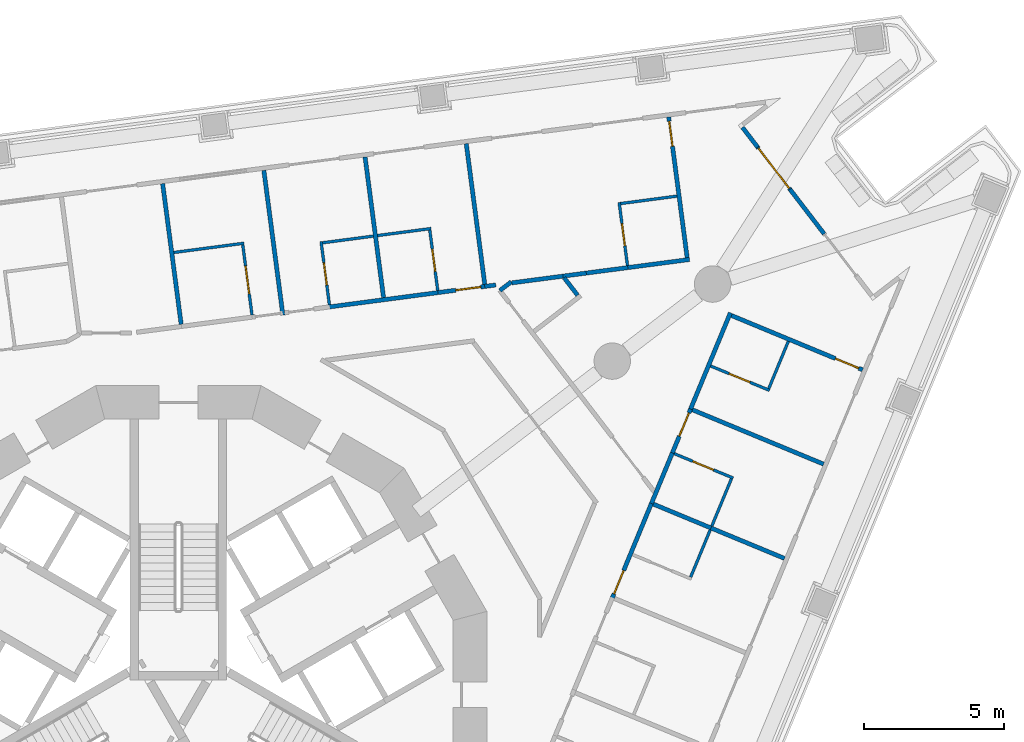
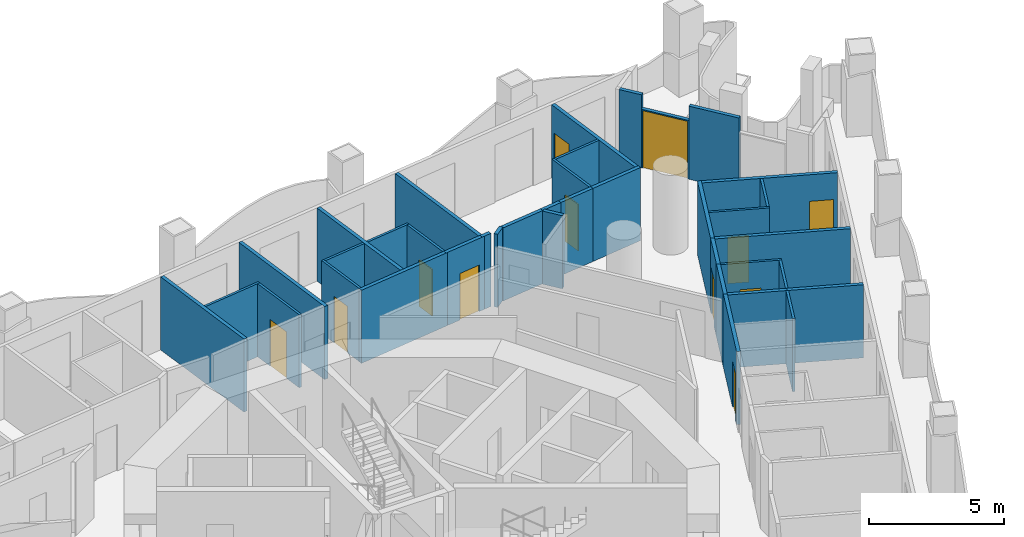
# One storey, part 10 of 19: 38 walls, 12 doors, 12 openings.
"""IFC4 building model written with IfcOpenShell, lengths in metres."""

import ifcopenshell
import ifcopenshell.guid

model = None  # the IFC model being written
_history = None  # IfcOwnerHistory: only IFC2X3 demands one
_inside = {}  # id of a spatial element -> (the spatial element, [elements in it])
_under = {}  # id of a project, library or spatial element -> (it, [spatial elements below it])
_declared = {}  # id of a project -> (the project, [libraries it declares])
_typed = {}  # id of a type object -> (the type object, [elements of that type])
_made_of = {}  # id of a material, layer set ... -> (it, [elements and type objects made of it])


def new_model(schema):
    """Start an empty IFC model of exactly this schema.

    Asked for "IFC4X3", IfcOpenShell would pick the latest addendum, in which some entities
    have other attributes; the version numbers below select the first issue.
    IFC2X3 requires an IfcOwnerHistory on every rooted entity: one is made here for all.
    """
    global model, _history
    if schema == "IFC4X3":
        model = ifcopenshell.file(schema_version=(4, 3, 0, 0))
    else:
        model = ifcopenshell.file(schema=schema)
    _inside.clear()
    _under.clear()
    _declared.clear()
    _typed.clear()
    _made_of.clear()
    _history = None
    if model.schema == "IFC2X3":
        org = make("IfcOrganization", Name="unknown")
        user = make(
            "IfcPersonAndOrganization",
            ThePerson=make("IfcPerson", FamilyName="unknown"),
            TheOrganization=org,
        )
        app = make(
            "IfcApplication",
            ApplicationDeveloper=org,
            Version="unknown",
            ApplicationFullName="unknown",
            ApplicationIdentifier="unknown",
        )
        _history = make(
            "IfcOwnerHistory",
            OwningUser=user,
            OwningApplication=app,
            ChangeAction="ADDED",
            CreationDate=0,
        )
    return model


def make(cls, **values):
    """One entity of the class cls with the attributes given. An attribute that is None is left unset."""
    return model.create_entity(
        cls, **{name: value for name, value in values.items() if value is not None}
    )


def rooted(cls, **values):
    """An entity with a GlobalId (a new one), such as an element, a storey or a relation."""
    return make(cls, GlobalId=ifcopenshell.guid.new(), OwnerHistory=_history, **values)


def si_unit(unit_type, name, prefix=None):
    """IfcSIUnit, for example si_unit("LENGTHUNIT", "METRE", prefix="MILLI")."""
    return make("IfcSIUnit", UnitType=unit_type, Prefix=prefix, Name=name)


def assignment(units):
    """IfcUnitAssignment: the units of a project."""
    return None if units is None else make("IfcUnitAssignment", Units=units)


def point(xyz):
    """IfcCartesianPoint."""
    return None if xyz is None else make("IfcCartesianPoint", Coordinates=xyz)


def direction(xyz):
    """IfcDirection."""
    return None if xyz is None else make("IfcDirection", DirectionRatios=xyz)


def frame(location, z_axis=None, x_axis=None):
    """IfcAxis2Placement3D, a coordinate frame: its origin and axes. An axis left out is left unset."""
    return make(
        "IfcAxis2Placement3D",
        Location=point(location),
        Axis=direction(z_axis),
        RefDirection=direction(x_axis),
    )


def frame_2d(location, x_axis=None):
    """IfcAxis2Placement2D, a coordinate frame in the plane: its origin and x axis."""
    return make(
        "IfcAxis2Placement2D", Location=point(location), RefDirection=direction(x_axis)
    )


def origin():
    """The frame at (0, 0, 0) with its axes left unset."""
    return frame((0.0, 0.0, 0.0))


def place(relative_to, where):
    """IfcLocalPlacement: puts the frame where relative to a parent placement (None: the world)."""
    return make(
        "IfcLocalPlacement", PlacementRelTo=relative_to, RelativePlacement=where
    )


def context(
    kind, dimensions, precision=None, world=None, true_north=None, identifier=None
):
    """IfcGeometricRepresentationContext, for example the 3D "Model" context."""
    return make(
        "IfcGeometricRepresentationContext",
        ContextIdentifier=identifier,
        ContextType=kind,
        CoordinateSpaceDimension=dimensions,
        Precision=precision,
        WorldCoordinateSystem=world,
        TrueNorth=true_north,
    )


def subcontext(parent, identifier, kind, view, scale=None):
    """IfcGeometricRepresentationSubContext, for example "Body" below "Model"."""
    return make(
        "IfcGeometricRepresentationSubContext",
        ContextIdentifier=identifier,
        ContextType=kind,
        ParentContext=parent,
        TargetScale=scale,
        TargetView=view,
    )


def project(units=None, contexts=None):
    """IfcProject with its units and contexts."""
    return rooted(
        "IfcProject",
        Name="project",
        RepresentationContexts=contexts,
        UnitsInContext=assignment(units),
    )


def spatial(cls, under=None, at=None, **own):
    """A site, building, storey or space (cls), placed at a placement, below another one or the project."""
    s = rooted(cls, ObjectPlacement=at, **own)
    if under is not None:
        _under.setdefault(under.id(), (under, []))[1].append(s)
    return s


def polyline(points):
    """IfcPolyline through the points."""
    return make("IfcPolyline", Points=[point(p) for p in points])


def profile(cls, at=None, kind="AREA", **sizes):
    """A parametric profile (cls). Its sizes go by their IFC names, for example OverallWidth=200.0."""
    return make(cls, ProfileType=kind, Position=at, **sizes)


def rectangle(**sizes):
    """IfcRectangleProfileDef."""
    return profile("IfcRectangleProfileDef", **sizes)


def outline(outer, holes=None, kind="AREA"):
    """IfcArbitraryClosedProfileDef: a profile drawn as a closed curve; with holes, ...WithVoids."""
    if holes is None:
        return make("IfcArbitraryClosedProfileDef", ProfileType=kind, OuterCurve=outer)
    return make(
        "IfcArbitraryProfileDefWithVoids",
        ProfileType=kind,
        OuterCurve=outer,
        InnerCurves=holes,
    )


def extrude(swept, where, along, depth):
    """IfcExtrudedAreaSolid: the profile swept, set in the frame where, extruded along a direction by depth."""
    return make(
        "IfcExtrudedAreaSolid",
        SweptArea=swept,
        Position=where,
        ExtrudedDirection=direction(along),
        Depth=depth,
    )


def shape(context_of_items, identifier, shape_type, items):
    """IfcShapeRepresentation: the items that make up one representation, for example the "Body"."""
    return make(
        "IfcShapeRepresentation",
        ContextOfItems=context_of_items,
        RepresentationIdentifier=identifier,
        RepresentationType=shape_type,
        Items=items,
    )


def material(Name=None, Category=None):
    """IfcMaterial."""
    return make("IfcMaterial", Name=Name, Category=Category)


def layer(
    of_material, thickness, ventilated=None, Name=None, Category=None, Priority=None
):
    """IfcMaterialLayer: one layer of a wall or slab, of a material (None: an air gap)."""
    return make(
        "IfcMaterialLayer",
        Material=of_material,
        LayerThickness=thickness,
        IsVentilated=ventilated,
        Name=Name,
        Category=Category,
        Priority=Priority,
    )


def layer_set(layers, Name=None):
    """IfcMaterialLayerSet."""
    return make("IfcMaterialLayerSet", MaterialLayers=layers, LayerSetName=Name)


def made_of(thing, what):
    """Note that an element or type object is made of a material, layer set ...; save() writes the relation."""
    if what is not None:
        _made_of.setdefault(what.id(), (what, []))[1].append(thing)
    return thing


def type_object(cls, material=None, **own):
    """A type object (cls), such as IfcWallType, which elements share."""
    return made_of(rooted(cls, **own), material)


def element(
    cls,
    number,
    at=None,
    inside=None,
    cuts=None,
    type_object=None,
    material=None,
    context=None,
    identifier="Body",
    shape_type=None,
    held_by="IfcProductDefinitionShape",
    body=None,
    shapes=None,
    **own,
):
    """One element of the class cls, such as IfcWall. Its Tag is "e" and its number.

    at: its placement. inside: the storey or other place that contains it. cuts: it is an
    opening in that element (IfcRelVoidsElement). A single representation is given by context,
    identifier, shape_type and body (its items); several are given by shapes. held_by: the class
    of the entity that holds the representations. save() writes the other relations.
    """
    e = rooted(cls, Tag="e%d" % number, ObjectPlacement=at, **own)
    if body is not None:
        shapes = [shape(context, identifier, shape_type, body)]
    if shapes is not None:
        e.Representation = make(held_by, Representations=shapes)
    if inside is not None:
        _inside.setdefault(inside.id(), (inside, []))[1].append(e)
    if cuts is not None:
        rooted(
            "IfcRelVoidsElement", RelatingBuildingElement=cuts, RelatedOpeningElement=e
        )
    if type_object is not None:
        _typed.setdefault(type_object.id(), (type_object, []))[1].append(e)
    return made_of(e, material)


def fill(opening, filler):
    """IfcRelFillsElement: the door or window that sits in an opening."""
    return rooted(
        "IfcRelFillsElement",
        RelatingOpeningElement=opening,
        RelatedBuildingElement=filler,
    )


def aggregate(whole, parts):
    """IfcRelAggregates: a whole, such as a stair, and the parts it consists of."""
    return rooted("IfcRelAggregates", RelatingObject=whole, RelatedObjects=parts)


def save(model, path):
    """Write the relations noted so far, then the file.

    IfcRelAggregates (storeys below a building ...), IfcRelContainedInSpatialStructure (elements
    in a storey), IfcRelDefinesByType, IfcRelAssociatesMaterial and IfcRelDeclares: one each for
    every whole, place, type object, material and project.
    """
    for whole, parts in _under.values():
        aggregate(whole, parts)
    for where, things in _inside.values():
        rooted(
            "IfcRelContainedInSpatialStructure",
            RelatedElements=things,
            RelatingStructure=where,
        )
    for kind, things in _typed.values():
        rooted("IfcRelDefinesByType", RelatedObjects=things, RelatingType=kind)
    for what, things in _made_of.values():
        rooted("IfcRelAssociatesMaterial", RelatedObjects=things, RelatingMaterial=what)
    for by, libraries in _declared.values():
        rooted("IfcRelDeclares", RelatingContext=by, RelatedDefinitions=libraries)
    model.write(path)


model = new_model("IFC4")

# Units and contexts
model_context = context("Model", 3, precision=1e-05, world=origin(), true_north=direction((0.0, 1.0)))
body_context = subcontext(model_context, "Body", "Model", "MODEL_VIEW")
ifc_project = project(units=[si_unit("LENGTHUNIT", "METRE"), si_unit("AREAUNIT", "SQUARE_METRE"), si_unit("VOLUMEUNIT", "CUBIC_METRE"), si_unit("PLANEANGLEUNIT", "RADIAN"), si_unit("MASSUNIT", "GRAM", prefix="KILO")], contexts=[model_context])

# Site, building, storey
site_placement = place(None, origin())
site = spatial("IfcSite", under=ifc_project, at=site_placement, CompositionType="ELEMENT")
building_placement = place(site_placement, origin())
building = spatial("IfcBuilding", under=site, at=building_placement, Name="Trine Commons Tower", CompositionType="ELEMENT")
storey_placement = place(building_placement, frame((0.0, 0.0, 57.60009765625)))
storey = spatial("IfcBuildingStorey", under=building, at=storey_placement, Name="L13", CompositionType="ELEMENT", Elevation=57.60009765625)

# Wall
ifc_material_1 = material(Name="Aluminium-framed insulated wall panel", Category="aluminium")
ifc_layer_1 = layer(ifc_material_1, 0.14990234375)
ifc_layer_set_1 = layer_set([ifc_layer_1], Name="Aluminium-framed insulated wall panel")
wall_type_1 = type_object("IfcWallType", Name="Glazed frame wall 150, EI 60", PredefinedType="SOLIDWALL", material=ifc_layer_set_1)
wall_1_placement = place(storey_placement, frame((100.068603515625, 82.81494140625, 0.0), z_axis=(0.0, 0.0, 1.0), x_axis=(0.608908114293, -0.793240763166, 0.0)))
element("IfcWall", 1, at=wall_1_placement, inside=storey, type_object=wall_type_1, Name="Glazed frame wall P2.1", PredefinedType="SOLIDWALL", context=body_context, shape_type="SweptSolid", body=[
    extrude(outline(polyline([(0.110107421875, -0.074951171875), (1.0, -0.074951171875), (1.0, 0.074951171875), (0.110107421875, 0.074951171875), (0.110107421875, -0.074951171875)])), origin(), (0.0, 0.0, 1.0), 3.2998046875),
])

# Wall, opening, door
wall_2_placement = place(storey_placement, frame((100.677490234375, 82.021728515625, 0.0), z_axis=(0.0, 0.0, 1.0), x_axis=(0.608722862036, -0.793382932281, 0.0)))
wall_2 = element("IfcWall", 2, at=wall_2_placement, inside=storey, type_object=wall_type_1, Name="Glazed frame wall P2.2", PredefinedType="SOLIDWALL", context=body_context, shape_type="SweptSolid", body=[
    extrude(outline(polyline([(0.0, -0.074951171875), (1.89990234375, -0.074951171875), (1.89990234375, 0.074951171875), (0.0, 0.074951171875), (0.0, -0.074951171875)])), origin(), (0.0, 0.0, 1.0), 2.64990234375),
])
opening_1_placement = place(wall_2_placement, frame((0.050048828125, 0.0, 0.0)))
opening_1 = element("IfcOpeningElement", 3, at=opening_1_placement, cuts=wall_2, Name="Opening BD-2P2-01", PredefinedType="OPENING", context=body_context, shape_type="SweptSolid", body=[
    extrude(rectangle(XDim=1.800048828125, YDim=2.60009765625, at=frame_2d((0.89990234375, 1.300048828125))), frame((0.0, 0.0849609375, 0.0), z_axis=(0.0, -1.0, 0.0), x_axis=(1.0, 0.0, 0.0)), (0.0, 0.0, 1.0), 0.169921875),
])
ifc_material_2 = material(Name="Anodised aluminium frame with double glazing", Category="aluminium")
door_type_1 = type_object("IfcDoorType", Name="Sliding loggia door 1800x2600", OperationType="SLIDING_TO_LEFT", PredefinedType="DOOR", material=ifc_material_2)
door_1_placement = place(opening_1_placement, origin())
door_1 = element("IfcDoor", 4, at=door_1_placement, inside=storey, type_object=door_type_1, Name="Loggia door P2 1", OperationType="SLIDING_TO_LEFT", OverallHeight=2.60009765625, OverallWidth=1.800048828125, PredefinedType="DOOR", context=body_context, shape_type="SweptSolid", body=[
    extrude(rectangle(XDim=1.800048828125, YDim=2.60009765625, at=frame_2d((0.89990234375, 1.300048828125))), frame((0.0, 0.02490234375, 0.0), z_axis=(0.0, -1.0, 0.0), x_axis=(1.0, 0.0, 0.0)), (0.0, 0.0, 1.0), 0.050048828125),
])
fill(opening_1, door_1)

# Walls
wall_3_placement = place(storey_placement, frame((101.833984375, 80.514404296875, 0.0), z_axis=(0.0, 0.0, 1.0), x_axis=(0.608713379391, -0.793390207748, 0.0)))
element("IfcWall", 5, at=wall_3_placement, inside=storey, type_object=wall_type_1, Name="Glazed frame wall P2.3", PredefinedType="SOLIDWALL", context=body_context, shape_type="SweptSolid", body=[
    extrude(outline(polyline([(0.0, -0.074951171875), (2.0, -0.074951171875), (2.0, 0.074951171875), (0.0, 0.074951171875), (0.0, -0.074951171875)])), origin(), (0.0, 0.0, 1.0), 3.2998046875),
])
ifc_material_3 = material(Name="Gypsum plasterboard on steel stud", Category="steel")
ifc_layer_2 = layer(ifc_material_3, 0.14990234375)
ifc_layer_set_2 = layer_set([ifc_layer_2], Name="Gypsum plasterboard on steel stud")
wall_type_2 = type_object("IfcWallType", Name="Unit and corridor wall 150 mm, EI 60", PredefinedType="PARTITIONING", material=ifc_layer_set_2)
wall_4_placement = place(storey_placement, frame((79.439208984375, 80.71923828125, 0.0), z_axis=(0.0, 0.0, 1.0), x_axis=(0.130505643681, -0.991447566424, 0.0)))
element("IfcWall", 6, at=wall_4_placement, inside=storey, type_object=wall_type_2, Name="Partition 084", PredefinedType="PARTITIONING", context=body_context, shape_type="SweptSolid", body=[
    extrude(rectangle(XDim=5.06396484375, YDim=0.14990234375, at=frame_2d((2.531982421875, 0.0))), origin(), (0.0, 0.0, 1.0), 3.2998046875),
])
wall_5_placement = place(storey_placement, frame((83.05126953125, 81.1953125, 0.0), z_axis=(0.0, 0.0, 1.0), x_axis=(0.130492059077, -0.99144935449, 0.0)))
element("IfcWall", 7, at=wall_5_placement, inside=storey, type_object=wall_type_2, Name="Partition 091", PredefinedType="PARTITIONING", context=body_context, shape_type="SweptSolid", body=[
    extrude(rectangle(XDim=5.21435546875, YDim=0.14990234375, at=frame_2d((2.607177734375, 0.0))), origin(), (0.0, 0.0, 1.0), 3.2998046875),
])
wall_6_placement = place(storey_placement, frame((85.348388671875, 76.3134765625, 0.0), z_axis=(0.0, 0.0, 1.0), x_axis=(0.99141734702, 0.130735014545, 0.0)))
element("IfcWall", 8, at=wall_6_placement, inside=storey, type_object=wall_type_2, Name="Partition 105", PredefinedType="PARTITIONING", context=body_context, shape_type="SweptSolid", body=[
    extrude(rectangle(XDim=4.007568359375, YDim=0.14990234375, at=frame_2d((2.00390625, 0.0))), origin(), (0.0, 0.0, 1.0), 3.2998046875),
])
wall_7_placement = place(storey_placement, frame((86.664306640625, 81.67041015625, 0.0), z_axis=(0.0, 0.0, 1.0), x_axis=(0.130524360114, -0.991445102573, 0.0)))
element("IfcWall", 9, at=wall_7_placement, inside=storey, type_object=wall_type_2, Name="Partition 111", PredefinedType="PARTITIONING", context=body_context, shape_type="SweptSolid", body=[
    extrude(rectangle(XDim=5.063232421875, YDim=0.14990234375, at=frame_2d((2.53173828125, 0.0))), origin(), (0.0, 0.0, 1.0), 3.2998046875),
])

# Wall, opening, door
wall_8_placement = place(storey_placement, frame((89.263916015625, 76.830078125, 0.0), z_axis=(0.0, 0.0, 1.0), x_axis=(0.991460374844, 0.130408301556, 0.0)))
wall_8 = element("IfcWall", 10, at=wall_8_placement, inside=storey, type_object=wall_type_2, Name="Partition 120", PredefinedType="PARTITIONING", context=body_context, shape_type="SweptSolid", body=[
    extrude(rectangle(XDim=1.776611328125, YDim=0.14990234375, at=frame_2d((0.88818359375, 0.0))), origin(), (0.0, 0.0, 1.0), 3.2998046875),
])
opening_2_placement = place(wall_8_placement, frame((0.6474609375, 0.0, 0.0)))
opening_2 = element("IfcOpeningElement", 11, at=opening_2_placement, cuts=wall_8, Name="Opening D-2A15", PredefinedType="OPENING", context=body_context, shape_type="SweptSolid", body=[
    extrude(rectangle(XDim=0.89990234375, YDim=2.10009765625, at=frame_2d((0.449951171875, 1.050048828125))), frame((0.0, 0.0849609375, 0.0), z_axis=(0.0, -1.0, 0.0), x_axis=(1.0, 0.0, 0.0)), (0.0, 0.0, 1.0), 0.169921875),
])
ifc_material_4 = material(Name="Timber fire door set", Category="wood")
door_type_2 = type_object("IfcDoorType", Name="Bedroom door 900 x 2100, FD30S", OperationType="NOTDEFINED", PredefinedType="DOOR", material=ifc_material_4)
door_2_placement = place(opening_2_placement, origin())
door_2 = element("IfcDoor", 12, at=door_2_placement, inside=storey, type_object=door_type_2, Name="Door D-2A15", OperationType="SINGLE_SWING_RIGHT", OverallHeight=2.10009765625, OverallWidth=0.89990234375, PredefinedType="DOOR", context=body_context, shape_type="SweptSolid", body=[
    extrude(rectangle(XDim=0.89990234375, YDim=2.10009765625, at=frame_2d((0.449951171875, 1.050048828125))), frame((0.0, 0.02490234375, 0.0), z_axis=(0.0, -1.0, 0.0), x_axis=(1.0, 0.0, 0.0)), (0.0, 0.0, 1.0), 0.050048828125),
])
fill(opening_2, door_2)

# Walls
wall_9_placement = place(storey_placement, frame((90.276123046875, 82.146240234375, 0.0), z_axis=(0.0, 0.0, 1.0), x_axis=(0.130553032561, -0.991441327406, 0.0)))
element("IfcWall", 13, at=wall_9_placement, inside=storey, type_object=wall_type_2, Name="Partition 124", PredefinedType="PARTITIONING", context=body_context, shape_type="SweptSolid", body=[
    extrude(rectangle(XDim=5.064208984375, YDim=0.14990234375, at=frame_2d((2.5322265625, 0.0))), origin(), (0.0, 0.0, 1.0), 3.2998046875),
])
wall_10_placement = place(storey_placement, frame((90.935302734375, 77.050048828125, 0.0), z_axis=(0.0, 0.0, 1.0), x_axis=(0.991508240123, 0.130043876322, 0.0)))
element("IfcWall", 14, at=wall_10_placement, inside=storey, type_object=wall_type_2, Name="Partition 127", PredefinedType="PARTITIONING", context=body_context, shape_type="SweptSolid", body=[
    extrude(rectangle(XDim=0.39990234375, YDim=0.14990234375, at=frame_2d((0.199951171875, 0.0))), origin(), (0.0, 0.0, 1.0), 3.2998046875),
])
wall_11_placement = place(storey_placement, frame((91.47607421875, 76.903076171875, 0.0), z_axis=(0.0, 0.0, 1.0), x_axis=(0.794371473226, 0.607432269908, 0.0)))
element("IfcWall", 15, at=wall_11_placement, inside=storey, type_object=wall_type_2, Name="Partition 130", PredefinedType="PARTITIONING", context=body_context, shape_type="SweptSolid", body=[
    extrude(rectangle(XDim=0.508056640625, YDim=0.14990234375, at=frame_2d((0.25390625, 0.0))), origin(), (0.0, 0.0, 1.0), 3.2998046875),
])
wall_12_placement = place(storey_placement, frame((91.894287109375, 77.17578125, 0.0), z_axis=(0.0, 0.0, 1.0), x_axis=(0.991459237005, 0.130416951959, 0.0)))
element("IfcWall", 16, at=wall_12_placement, inside=storey, type_object=wall_type_2, Name="Partition 131", PredefinedType="PARTITIONING", context=body_context, shape_type="SweptSolid", body=[
    extrude(rectangle(XDim=1.849609375, YDim=0.14990234375, at=frame_2d((0.9248046875, 0.0))), origin(), (0.0, 0.0, 1.0), 3.2998046875),
])
wall_13_placement = place(storey_placement, frame((93.773681640625, 77.357421875, 0.0), z_axis=(0.0, 0.0, 1.0), x_axis=(0.609485891215, -0.792796914985, 0.0)))
element("IfcWall", 17, at=wall_13_placement, inside=storey, type_object=wall_type_2, Name="Partition 141", PredefinedType="PARTITIONING", context=body_context, shape_type="SweptSolid", body=[
    extrude(rectangle(XDim=0.787109375, YDim=0.14990234375, at=frame_2d((0.3935546875, 0.0))), origin(), (0.0, 0.0, 1.0), 3.2998046875),
])
wall_14_placement = place(storey_placement, frame((93.72802734375, 77.4169921875, 0.0), z_axis=(0.0, 0.0, 1.0), x_axis=(0.991356991582, 0.131191902348, 0.0)))
element("IfcWall", 18, at=wall_14_placement, inside=storey, type_object=wall_type_2, Name="Partition 142", PredefinedType="PARTITIONING", context=body_context, shape_type="SweptSolid", body=[
    extrude(rectangle(XDim=0.83935546875, YDim=0.14990234375, at=frame_2d((0.419677734375, 0.0))), origin(), (0.0, 0.0, 1.0), 3.2998046875),
])
wall_15_placement = place(storey_placement, frame((94.56005859375, 77.527099609375, 0.0), z_axis=(0.0, 0.0, 1.0), x_axis=(0.991501948485, 0.130091837371, 0.0)))
element("IfcWall", 19, at=wall_15_placement, inside=storey, type_object=wall_type_2, Name="Partition 145", PredefinedType="PARTITIONING", context=body_context, shape_type="SweptSolid", body=[
    extrude(rectangle(XDim=1.49755859375, YDim=0.14990234375, at=frame_2d((0.748779296875, 0.0))), origin(), (0.0, 0.0, 1.0), 3.2998046875),
])

# Wall, opening, door
wall_16_placement = place(storey_placement, frame((95.46435546875, 65.86767578125, 0.0), z_axis=(0.0, 0.0, 1.0), x_axis=(0.382444409481, 0.923978502811, 0.0)))
wall_16 = element("IfcWall", 20, at=wall_16_placement, inside=storey, type_object=wall_type_2, Name="Partition 149", PredefinedType="PARTITIONING", context=body_context, shape_type="SweptSolid", body=[
    extrude(rectangle(XDim=3.802734375, YDim=0.14990234375, at=frame_2d((1.9013671875, 0.0))), origin(), (0.0, 0.0, 1.0), 3.2998046875),
])
opening_3_placement = place(wall_16_placement, frame((0.22900390625, 0.0, 0.0)))
opening_3 = element("IfcOpeningElement", 21, at=opening_3_placement, cuts=wall_16, Name="Opening D-2A19", PredefinedType="OPENING", context=body_context, shape_type="SweptSolid", body=[
    extrude(rectangle(XDim=0.89990234375, YDim=2.10009765625, at=frame_2d((0.449951171875, 1.050048828125))), frame((0.0, 0.0849609375, 0.0), z_axis=(0.0, -1.0, 0.0), x_axis=(1.0, 0.0, 0.0)), (0.0, 0.0, 1.0), 0.169921875),
])
door_3_placement = place(opening_3_placement, frame((0.89990234375, 0.0, 0.0), z_axis=(0.0, 0.0, 1.0), x_axis=(-1.0, 0.0, 0.0)))
door_3 = element("IfcDoor", 22, at=door_3_placement, inside=storey, type_object=door_type_2, Name="Door D-2A19", OperationType="SINGLE_SWING_RIGHT", OverallHeight=2.10009765625, OverallWidth=0.89990234375, PredefinedType="DOOR", context=body_context, shape_type="SweptSolid", body=[
    extrude(rectangle(XDim=0.89990234375, YDim=2.10009765625, at=frame_2d((0.449951171875, 1.050048828125))), frame((0.0, 0.02490234375, 0.0), z_axis=(0.0, -1.0, 0.0), x_axis=(1.0, 0.0, 0.0)), (0.0, 0.0, 1.0), 0.050048828125),
])
fill(opening_3, door_3)

# Walls
wall_17_placement = place(storey_placement, frame((95.9873046875, 77.714599609375, 0.0), z_axis=(0.0, 0.0, 1.0), x_axis=(0.991461223533, 0.130401849026, 0.0)))
element("IfcWall", 23, at=wall_17_placement, inside=storey, type_object=wall_type_2, Name="Partition 153", PredefinedType="PARTITIONING", context=body_context, shape_type="SweptSolid", body=[
    extrude(rectangle(XDim=2.278564453125, YDim=0.14990234375, at=frame_2d((1.13916015625, 0.0))), origin(), (0.0, 0.0, 1.0), 3.2998046875),
])
wall_18_placement = place(storey_placement, frame((96.886962890625, 69.303955078125, 0.0), z_axis=(0.0, 0.0, 1.0), x_axis=(0.382516455335, 0.923948678985, 0.0)))
element("IfcWall", 24, at=wall_18_placement, inside=storey, type_object=wall_type_2, Name="Partition 156", PredefinedType="PARTITIONING", context=body_context, shape_type="SweptSolid", body=[
    extrude(rectangle(XDim=2.0078125, YDim=0.14990234375, at=frame_2d((1.00390625, 0.0))), origin(), (0.0, 0.0, 1.0), 3.2998046875),
])
wall_19_placement = place(storey_placement, frame((96.957275390625, 69.279296875, 0.0), z_axis=(0.0, 0.0, 1.0), x_axis=(0.923750633898, -0.382994473033, 0.0)))
element("IfcWall", 25, at=wall_19_placement, inside=storey, type_object=wall_type_2, Name="Partition 157", PredefinedType="PARTITIONING", context=body_context, shape_type="SweptSolid", body=[
    extrude(rectangle(XDim=2.225341796875, YDim=0.14990234375, at=frame_2d((1.11279296875, 0.0))), origin(), (0.0, 0.0, 1.0), 3.2998046875),
])

# Wall, opening, door
wall_20_placement = place(storey_placement, frame((97.501220703125, 83.097412109375, 0.0), z_axis=(0.0, 0.0, 1.0), x_axis=(0.130499406053, -0.991448387471, 0.0)))
wall_20 = element("IfcWall", 26, at=wall_20_placement, inside=storey, type_object=wall_type_2, Name="Partition 158", PredefinedType="PARTITIONING", context=body_context, shape_type="SweptSolid", body=[
    extrude(rectangle(XDim=5.064208984375, YDim=0.14990234375, at=frame_2d((2.5322265625, 0.0))), origin(), (0.0, 0.0, 1.0), 3.2998046875),
])
opening_4_placement = place(wall_20_placement, frame((0.14990234375, 0.0, 0.0)))
opening_4 = element("IfcOpeningElement", 27, at=opening_4_placement, cuts=wall_20, Name="Opening D-2A16", PredefinedType="OPENING", context=body_context, shape_type="SweptSolid", body=[
    extrude(rectangle(XDim=0.89990234375, YDim=2.10009765625, at=frame_2d((0.449951171875, 1.050048828125))), frame((0.0, 0.0849609375, 0.0), z_axis=(0.0, -1.0, 0.0), x_axis=(1.0, 0.0, 0.0)), (0.0, 0.0, 1.0), 0.169921875),
])
door_4_placement = place(opening_4_placement, frame((0.89990234375, 0.0, 0.0), z_axis=(0.0, 0.0, 1.0), x_axis=(-1.0, 0.0, 0.0)))
door_4 = element("IfcDoor", 28, at=door_4_placement, inside=storey, type_object=door_type_2, Name="Door D-2A16", OperationType="SINGLE_SWING_RIGHT", OverallHeight=2.10009765625, OverallWidth=0.89990234375, PredefinedType="DOOR", context=body_context, shape_type="SweptSolid", body=[
    extrude(rectangle(XDim=0.89990234375, YDim=2.10009765625, at=frame_2d((0.449951171875, 1.050048828125))), frame((0.0, 0.02490234375, 0.0), z_axis=(0.0, -1.0, 0.0), x_axis=(1.0, 0.0, 0.0)), (0.0, 0.0, 1.0), 0.050048828125),
])
fill(opening_4, door_4)

wall_21_placement = place(storey_placement, frame((97.633056640625, 71.10595703125, 0.0), z_axis=(0.0, 0.0, 1.0), x_axis=(0.382868343203, 0.923802918253, 0.0)))
wall_21 = element("IfcWall", 29, at=wall_21_placement, inside=storey, type_object=wall_type_2, Name="Partition 159", PredefinedType="PARTITIONING", context=body_context, shape_type="SweptSolid", body=[
    extrude(rectangle(XDim=1.697509765625, YDim=0.14990234375, at=frame_2d((0.8486328125, 0.0))), origin(), (0.0, 0.0, 1.0), 3.2998046875),
])
opening_5_placement = place(wall_21_placement, frame((0.647216796875, 0.0, 0.0)))
opening_5 = element("IfcOpeningElement", 30, at=opening_5_placement, cuts=wall_21, Name="Opening D-2A18", PredefinedType="OPENING", context=body_context, shape_type="SweptSolid", body=[
    extrude(rectangle(XDim=0.89990234375, YDim=2.10009765625, at=frame_2d((0.449951171875, 1.050048828125))), frame((0.0, 0.0849609375, 0.0), z_axis=(0.0, -1.0, 0.0), x_axis=(1.0, 0.0, 0.0)), (0.0, 0.0, 1.0), 0.169921875),
])
door_5_placement = place(opening_5_placement, frame((0.89990234375, 0.0, 0.0), z_axis=(0.0, 0.0, 1.0), x_axis=(-1.0, 0.0, 0.0)))
door_5 = element("IfcDoor", 31, at=door_5_placement, inside=storey, type_object=door_type_2, Name="Door D-2A18", OperationType="SINGLE_SWING_LEFT", OverallHeight=2.10009765625, OverallWidth=0.89990234375, PredefinedType="DOOR", context=body_context, shape_type="SweptSolid", body=[
    extrude(rectangle(XDim=0.89990234375, YDim=2.10009765625, at=frame_2d((0.449951171875, 1.050048828125))), frame((0.0, 0.02490234375, 0.0), z_axis=(0.0, -1.0, 0.0), x_axis=(1.0, 0.0, 0.0)), (0.0, 0.0, 1.0), 0.050048828125),
])
fill(opening_5, door_5)

# Walls
wall_22_placement = place(storey_placement, frame((98.282958984375, 72.674072265625, 0.0), z_axis=(0.0, 0.0, 1.0), x_axis=(0.382661068861, 0.923888795461, 0.0)))
element("IfcWall", 32, at=wall_22_placement, inside=storey, type_object=wall_type_2, Name="Partition 162", PredefinedType="PARTITIONING", context=body_context, shape_type="SweptSolid", body=[
    extrude(rectangle(XDim=3.71826171875, YDim=0.14990234375, at=frame_2d((1.859130859375, 0.0))), origin(), (0.0, 0.0, 1.0), 3.2998046875),
])
wall_23_placement = place(storey_placement, frame((98.352294921875, 72.645263671875, 0.0), z_axis=(0.0, 0.0, 1.0), x_axis=(0.923879340067, -0.382683896966, 0.0)))
element("IfcWall", 33, at=wall_23_placement, inside=storey, type_object=wall_type_2, Name="Partition 163", PredefinedType="PARTITIONING", context=body_context, shape_type="SweptSolid", body=[
    extrude(rectangle(XDim=5.064208984375, YDim=0.14990234375, at=frame_2d((2.5322265625, 0.0))), origin(), (0.0, 0.0, 1.0), 3.2998046875),
])
wall_24_placement = place(storey_placement, frame((99.012939453125, 68.427001953125, 0.0), z_axis=(0.0, 0.0, 1.0), x_axis=(0.923980158274, -0.382440409889, 0.0)))
element("IfcWall", 34, at=wall_24_placement, inside=storey, type_object=wall_type_2, Name="Partition 166", PredefinedType="PARTITIONING", context=body_context, shape_type="SweptSolid", body=[
    extrude(rectangle(XDim=2.8388671875, YDim=0.14990234375, at=frame_2d((1.41943359375, 0.0))), origin(), (0.0, 0.0, 1.0), 3.2998046875),
])

# Wall, opening, door
wall_25_placement = place(storey_placement, frame((99.746337890625, 76.01123046875, 0.0), z_axis=(0.0, 0.0, 1.0), x_axis=(0.923879340067, -0.382683896966, 0.0)))
wall_25 = element("IfcWall", 35, at=wall_25_placement, inside=storey, type_object=wall_type_2, Name="Partition 167", PredefinedType="PARTITIONING", context=body_context, shape_type="SweptSolid", body=[
    extrude(rectangle(XDim=5.064208984375, YDim=0.14990234375, at=frame_2d((2.5322265625, 0.0))), origin(), (0.0, 0.0, 1.0), 3.2998046875),
])
opening_6_placement = place(wall_25_placement, frame((4.01416015625, 0.0, 0.0)))
opening_6 = element("IfcOpeningElement", 36, at=opening_6_placement, cuts=wall_25, Name="Opening D-2A17", PredefinedType="OPENING", context=body_context, shape_type="SweptSolid", body=[
    extrude(rectangle(XDim=0.89990234375, YDim=2.10009765625, at=frame_2d((0.449951171875, 1.050048828125))), frame((0.0, 0.0849609375, 0.0), z_axis=(0.0, -1.0, 0.0), x_axis=(1.0, 0.0, 0.0)), (0.0, 0.0, 1.0), 0.169921875),
])
door_6_placement = place(opening_6_placement, frame((0.89990234375, 0.0, 0.0), z_axis=(0.0, 0.0, 1.0), x_axis=(-1.0, 0.0, 0.0)))
door_6 = element("IfcDoor", 37, at=door_6_placement, inside=storey, type_object=door_type_2, Name="Door D-2A17", OperationType="SINGLE_SWING_LEFT", OverallHeight=2.10009765625, OverallWidth=0.89990234375, PredefinedType="DOOR", context=body_context, shape_type="SweptSolid", body=[
    extrude(rectangle(XDim=0.89990234375, YDim=2.10009765625, at=frame_2d((0.449951171875, 1.050048828125))), frame((0.0, 0.02490234375, 0.0), z_axis=(0.0, -1.0, 0.0), x_axis=(1.0, 0.0, 0.0)), (0.0, 0.0, 1.0), 0.050048828125),
])
fill(opening_6, door_6)

# Wall
ifc_layer_3 = layer(ifc_material_3, 0.10009765625)
ifc_layer_set_3 = layer_set([ifc_layer_3], Name="Gypsum plasterboard on steel stud")
wall_type_3 = type_object("IfcWallType", Name="Unit partition 100 mm, no rating", PredefinedType="PARTITIONING", material=ifc_layer_set_3)
wall_26_placement = place(storey_placement, frame((79.83837890625, 78.26171875, 0.0), z_axis=(0.0, 0.0, 1.0), x_axis=(0.991430252683, 0.130637108298, 0.0)))
element("IfcWall", 38, at=wall_26_placement, inside=storey, type_object=wall_type_3, Name="Partition 085", PredefinedType="PARTITIONING", context=body_context, shape_type="SweptSolid", body=[
    extrude(rectangle(XDim=2.52490234375, YDim=0.10009765625, at=frame_2d((1.262451171875, 0.0))), origin(), (0.0, 0.0, 1.0), 3.2998046875),
])

# Wall, opening, door
wall_27_placement = place(storey_placement, frame((82.298583984375, 78.535400390625, 0.0), z_axis=(0.0, 0.0, 1.0), x_axis=(0.130504525485, -0.991447713613, 0.0)))
wall_27 = element("IfcWall", 39, at=wall_27_placement, inside=storey, type_object=wall_type_3, Name="Partition 088", PredefinedType="PARTITIONING", context=body_context, shape_type="SweptSolid", body=[
    extrude(rectangle(XDim=2.525390625, YDim=0.10009765625, at=frame_2d((1.2626953125, 0.0))), origin(), (0.0, 0.0, 1.0), 3.2998046875),
])
opening_7_placement = place(wall_27_placement, frame((0.7626953125, 0.0, 0.0)))
opening_7 = element("IfcOpeningElement", 40, at=opening_7_placement, cuts=wall_27, Name="Opening D-2A45", PredefinedType="OPENING", context=body_context, shape_type="SweptSolid", body=[
    extrude(rectangle(XDim=1.0, YDim=2.10009765625, at=frame_2d((0.5, 1.050048828125))), frame((0.0, 0.06005859375, 0.0), z_axis=(0.0, -1.0, 0.0), x_axis=(1.0, 0.0, 0.0)), (0.0, 0.0, 1.0), 0.1201171875),
])
ifc_material_5 = material(Name="Painted timber", Category="wood")
door_type_3 = type_object("IfcDoorType", Name="Internal door 1000 x 2100, NOT RATED", OperationType="NOTDEFINED", PredefinedType="DOOR", material=ifc_material_5)
door_7_placement = place(opening_7_placement, origin())
door_7 = element("IfcDoor", 41, at=door_7_placement, inside=storey, type_object=door_type_3, Name="Door D-2A45", OperationType="SINGLE_SWING_LEFT", OverallHeight=2.10009765625, OverallWidth=1.0, PredefinedType="DOOR", context=body_context, shape_type="SweptSolid", body=[
    extrude(rectangle(XDim=1.0, YDim=2.10009765625, at=frame_2d((0.5, 1.050048828125))), frame((0.0, 0.02490234375, 0.0), z_axis=(0.0, -1.0, 0.0), x_axis=(1.0, 0.0, 0.0)), (0.0, 0.0, 1.0), 0.050048828125),
])
fill(opening_7, door_7)

wall_28_placement = place(storey_placement, frame((85.094482421875, 78.650634765625, 0.0), z_axis=(0.0, 0.0, 1.0), x_axis=(0.13083486939, -0.991404174367, 0.0)))
wall_28 = element("IfcWall", 42, at=wall_28_placement, inside=storey, type_object=wall_type_3, Name="Partition 098", PredefinedType="PARTITIONING", context=body_context, shape_type="SweptSolid", body=[
    extrude(rectangle(XDim=2.274658203125, YDim=0.10009765625, at=frame_2d((1.13720703125, 0.0))), origin(), (0.0, 0.0, 1.0), 3.2998046875),
])
opening_8_placement = place(wall_28_placement, frame((0.762451171875, 0.0, 0.0)))
opening_8 = element("IfcOpeningElement", 43, at=opening_8_placement, cuts=wall_28, Name="Opening D-2A46", PredefinedType="OPENING", context=body_context, shape_type="SweptSolid", body=[
    extrude(rectangle(XDim=0.800048828125, YDim=2.10009765625, at=frame_2d((0.39990234375, 1.050048828125))), frame((0.0, 0.06005859375, 0.0), z_axis=(0.0, -1.0, 0.0), x_axis=(1.0, 0.0, 0.0)), (0.0, 0.0, 1.0), 0.1201171875),
])
door_type_4 = type_object("IfcDoorType", Name="Internal door 800 x 2100, NOT RATED", OperationType="NOTDEFINED", PredefinedType="DOOR", material=ifc_material_5)
door_8_placement = place(opening_8_placement, frame((0.800048828125, 0.0, 0.0), z_axis=(0.0, 0.0, 1.0), x_axis=(-1.0, 0.0, 0.0)))
door_8 = element("IfcDoor", 44, at=door_8_placement, inside=storey, type_object=door_type_4, Name="Door D-2A46", OperationType="SINGLE_SWING_LEFT", OverallHeight=2.10009765625, OverallWidth=0.800048828125, PredefinedType="DOOR", context=body_context, shape_type="SweptSolid", body=[
    extrude(rectangle(XDim=0.800048828125, YDim=2.10009765625, at=frame_2d((0.39990234375, 1.050048828125))), frame((0.0, 0.02490234375, 0.0), z_axis=(0.0, -1.0, 0.0), x_axis=(1.0, 0.0, 0.0)), (0.0, 0.0, 1.0), 0.050048828125),
])
fill(opening_8, door_8)

# Walls
wall_29_placement = place(storey_placement, frame((85.150634765625, 78.607421875, 0.0), z_axis=(0.0, 0.0, 1.0), x_axis=(0.991411458615, 0.130779660983, 0.0)))
element("IfcWall", 45, at=wall_29_placement, inside=storey, type_object=wall_type_3, Name="Partition 099", PredefinedType="PARTITIONING", context=body_context, shape_type="SweptSolid", body=[
    extrude(rectangle(XDim=1.82568359375, YDim=0.10009765625, at=frame_2d((0.912841796875, 0.0))), origin(), (0.0, 0.0, 1.0), 3.2998046875),
])
wall_30_placement = place(storey_placement, frame((87.109375, 78.86572265625, 0.0), z_axis=(0.0, 0.0, 1.0), x_axis=(0.991477594971, 0.130277314488, 0.0)))
element("IfcWall", 46, at=wall_30_placement, inside=storey, type_object=wall_type_3, Name="Partition 114", PredefinedType="PARTITIONING", context=body_context, shape_type="SweptSolid", body=[
    extrude(rectangle(XDim=1.924560546875, YDim=0.10009765625, at=frame_2d((0.96240234375, 0.0))), origin(), (0.0, 0.0, 1.0), 3.2998046875),
])

# Wall, opening, door
wall_31_placement = place(storey_placement, frame((88.974609375, 79.060302734375, 0.0), z_axis=(0.0, 0.0, 1.0), x_axis=(0.130457416757, -0.991453913409, 0.0)))
wall_31 = element("IfcWall", 47, at=wall_31_placement, inside=storey, type_object=wall_type_3, Name="Partition 119", PredefinedType="PARTITIONING", context=body_context, shape_type="SweptSolid", body=[
    extrude(rectangle(XDim=2.174560546875, YDim=0.10009765625, at=frame_2d((1.08740234375, 0.0))), origin(), (0.0, 0.0, 1.0), 3.2998046875),
])
opening_9_placement = place(wall_31_placement, frame((0.687255859375, 0.0, 0.0)))
opening_9 = element("IfcOpeningElement", 48, at=opening_9_placement, cuts=wall_31, Name="Opening D-2A47", PredefinedType="OPENING", context=body_context, shape_type="SweptSolid", body=[
    extrude(rectangle(XDim=0.800048828125, YDim=2.10009765625, at=frame_2d((0.39990234375, 1.050048828125))), frame((0.0, 0.06005859375, 0.0), z_axis=(0.0, -1.0, 0.0), x_axis=(1.0, 0.0, 0.0)), (0.0, 0.0, 1.0), 0.1201171875),
])
door_9_placement = place(opening_9_placement, origin())
door_9 = element("IfcDoor", 49, at=door_9_placement, inside=storey, type_object=door_type_4, Name="Door D-2A47", OperationType="SINGLE_SWING_LEFT", OverallHeight=2.10009765625, OverallWidth=0.800048828125, PredefinedType="DOOR", context=body_context, shape_type="SweptSolid", body=[
    extrude(rectangle(XDim=0.800048828125, YDim=2.10009765625, at=frame_2d((0.39990234375, 1.050048828125))), frame((0.0, 0.02490234375, 0.0), z_axis=(0.0, -1.0, 0.0), x_axis=(1.0, 0.0, 0.0)), (0.0, 0.0, 1.0), 0.050048828125),
])
fill(opening_9, door_9)

wall_32_placement = place(storey_placement, frame((95.7333984375, 80.051513671875, 0.0), z_axis=(0.0, 0.0, 1.0), x_axis=(0.130940359595, -0.991390247193, 0.0)))
wall_32 = element("IfcWall", 50, at=wall_32_placement, inside=storey, type_object=wall_type_3, Name="Partition 151", PredefinedType="PARTITIONING", context=body_context, shape_type="SweptSolid", body=[
    extrude(rectangle(XDim=2.274658203125, YDim=0.10009765625, at=frame_2d((1.13720703125, 0.0))), origin(), (0.0, 0.0, 1.0), 3.2998046875),
])
opening_10_placement = place(wall_32_placement, frame((0.762451171875, 0.0, 0.0)))
opening_10 = element("IfcOpeningElement", 51, at=opening_10_placement, cuts=wall_32, Name="Opening D-2A48", PredefinedType="OPENING", context=body_context, shape_type="SweptSolid", body=[
    extrude(rectangle(XDim=0.800048828125, YDim=2.10009765625, at=frame_2d((0.39990234375, 1.050048828125))), frame((0.0, 0.06005859375, 0.0), z_axis=(0.0, -1.0, 0.0), x_axis=(1.0, 0.0, 0.0)), (0.0, 0.0, 1.0), 0.1201171875),
])
door_10_placement = place(opening_10_placement, frame((0.800048828125, 0.0, 0.0), z_axis=(0.0, 0.0, 1.0), x_axis=(-1.0, 0.0, 0.0)))
door_10 = element("IfcDoor", 52, at=door_10_placement, inside=storey, type_object=door_type_4, Name="Door D-2A48", OperationType="SINGLE_SWING_LEFT", OverallHeight=2.10009765625, OverallWidth=0.800048828125, PredefinedType="DOOR", context=body_context, shape_type="SweptSolid", body=[
    extrude(rectangle(XDim=0.800048828125, YDim=2.10009765625, at=frame_2d((0.39990234375, 1.050048828125))), frame((0.0, 0.02490234375, 0.0), z_axis=(0.0, -1.0, 0.0), x_axis=(1.0, 0.0, 0.0)), (0.0, 0.0, 1.0), 0.050048828125),
])
fill(opening_10, door_10)

# Wall
wall_33_placement = place(storey_placement, frame((95.78955078125, 80.008544921875, 0.0), z_axis=(0.0, 0.0, 1.0), x_axis=(0.991426785241, 0.130663420693, 0.0)))
element("IfcWall", 53, at=wall_33_placement, inside=storey, type_object=wall_type_3, Name="Partition 152", PredefinedType="PARTITIONING", context=body_context, shape_type="SweptSolid", body=[
    extrude(rectangle(XDim=2.025390625, YDim=0.10009765625, at=frame_2d((1.0126953125, 0.0))), origin(), (0.0, 0.0, 1.0), 3.2998046875),
])

# Wall, opening, door
wall_34_placement = place(storey_placement, frame((97.704345703125, 71.080322265625, 0.0), z_axis=(0.0, 0.0, 1.0), x_axis=(0.923916126796, -0.382595073996, 0.0)))
wall_34 = element("IfcWall", 54, at=wall_34_placement, inside=storey, type_object=wall_type_3, Name="Partition 160", PredefinedType="PARTITIONING", context=body_context, shape_type="SweptSolid", body=[
    extrude(rectangle(XDim=2.27490234375, YDim=0.10009765625, at=frame_2d((1.137451171875, 0.0))), origin(), (0.0, 0.0, 1.0), 3.2998046875),
])
opening_11_placement = place(wall_34_placement, frame((0.71240234375, 0.0, 0.0)))
opening_11 = element("IfcOpeningElement", 55, at=opening_11_placement, cuts=wall_34, Name="Opening D-2A50", PredefinedType="OPENING", context=body_context, shape_type="SweptSolid", body=[
    extrude(rectangle(XDim=0.800048828125, YDim=2.10009765625, at=frame_2d((0.39990234375, 1.050048828125))), frame((0.0, 0.06005859375, 0.0), z_axis=(0.0, -1.0, 0.0), x_axis=(1.0, 0.0, 0.0)), (0.0, 0.0, 1.0), 0.1201171875),
])
door_11_placement = place(opening_11_placement, origin())
door_11 = element("IfcDoor", 56, at=door_11_placement, inside=storey, type_object=door_type_4, Name="Door D-2A50", OperationType="SINGLE_SWING_LEFT", OverallHeight=2.10009765625, OverallWidth=0.800048828125, PredefinedType="DOOR", context=body_context, shape_type="SweptSolid", body=[
    extrude(rectangle(XDim=0.800048828125, YDim=2.10009765625, at=frame_2d((0.39990234375, 1.050048828125))), frame((0.0, 0.02490234375, 0.0), z_axis=(0.0, -1.0, 0.0), x_axis=(1.0, 0.0, 0.0)), (0.0, 0.0, 1.0), 0.050048828125),
])
fill(opening_11, door_11)

# Wall
wall_35_placement = place(storey_placement, frame((98.2861328125, 66.672119140625, 0.0), z_axis=(0.0, 0.0, 1.0), x_axis=(0.382714221705, 0.923866778548, 0.0)))
element("IfcWall", 57, at=wall_35_placement, inside=storey, type_object=wall_type_3, Name="Partition 161", PredefinedType="PARTITIONING", context=body_context, shape_type="SweptSolid", body=[
    extrude(rectangle(XDim=1.824462890625, YDim=0.10009765625, at=frame_2d((0.912109375, 0.0))), origin(), (0.0, 0.0, 1.0), 3.2998046875),
])

# Wall, opening, door
wall_36_placement = place(storey_placement, frame((99.000244140625, 74.210205078125, 0.0), z_axis=(0.0, 0.0, 1.0), x_axis=(0.92378006954, -0.382923469012, 0.0)))
wall_36 = element("IfcWall", 58, at=wall_36_placement, inside=storey, type_object=wall_type_3, Name="Partition 164", PredefinedType="PARTITIONING", context=body_context, shape_type="SweptSolid", body=[
    extrude(rectangle(XDim=2.275390625, YDim=0.10009765625, at=frame_2d((1.1376953125, 0.0))), origin(), (0.0, 0.0, 1.0), 3.2998046875),
])
opening_12_placement = place(wall_36_placement, frame((0.712646484375, 0.0, 0.0)))
opening_12 = element("IfcOpeningElement", 59, at=opening_12_placement, cuts=wall_36, Name="Opening D-2A49", PredefinedType="OPENING", context=body_context, shape_type="SweptSolid", body=[
    extrude(rectangle(XDim=0.800048828125, YDim=2.10009765625, at=frame_2d((0.39990234375, 1.050048828125))), frame((0.0, 0.06005859375, 0.0), z_axis=(0.0, -1.0, 0.0), x_axis=(1.0, 0.0, 0.0)), (0.0, 0.0, 1.0), 0.1201171875),
])
door_12_placement = place(opening_12_placement, frame((0.800048828125, 0.0, 0.0), z_axis=(0.0, 0.0, 1.0), x_axis=(-1.0, 0.0, 0.0)))
door_12 = element("IfcDoor", 60, at=door_12_placement, inside=storey, type_object=door_type_4, Name="Door D-2A49", OperationType="SINGLE_SWING_RIGHT", OverallHeight=2.10009765625, OverallWidth=0.800048828125, PredefinedType="DOOR", context=body_context, shape_type="SweptSolid", body=[
    extrude(rectangle(XDim=0.800048828125, YDim=2.10009765625, at=frame_2d((0.39990234375, 1.050048828125))), frame((0.0, 0.02490234375, 0.0), z_axis=(0.0, -1.0, 0.0), x_axis=(1.0, 0.0, 0.0)), (0.0, 0.0, 1.0), 0.050048828125),
])
fill(opening_12, door_12)

# Walls
wall_37_placement = place(storey_placement, frame((99.041748046875, 68.496337890625, 0.0), z_axis=(0.0, 0.0, 1.0), x_axis=(0.382981625731, 0.923755960388, 0.0)))
element("IfcWall", 61, at=wall_37_placement, inside=storey, type_object=wall_type_3, Name="Partition 165", PredefinedType="PARTITIONING", context=body_context, shape_type="SweptSolid", body=[
    extrude(rectangle(XDim=1.82568359375, YDim=0.10009765625, at=frame_2d((0.912841796875, 0.0))), origin(), (0.0, 0.0, 1.0), 3.2998046875),
])
wall_38_placement = place(storey_placement, frame((101.0751953125, 73.404296875, 0.0), z_axis=(0.0, 0.0, 1.0), x_axis=(0.382410862233, 0.923992387656, 0.0)))
element("IfcWall", 62, at=wall_38_placement, inside=storey, type_object=wall_type_3, Name="Partition 168", PredefinedType="PARTITIONING", context=body_context, shape_type="SweptSolid", body=[
    extrude(rectangle(XDim=1.8251953125, YDim=0.10009765625, at=frame_2d((0.91259765625, 0.0))), origin(), (0.0, 0.0, 1.0), 3.2998046875),
])

save(model, "model.ifc")
